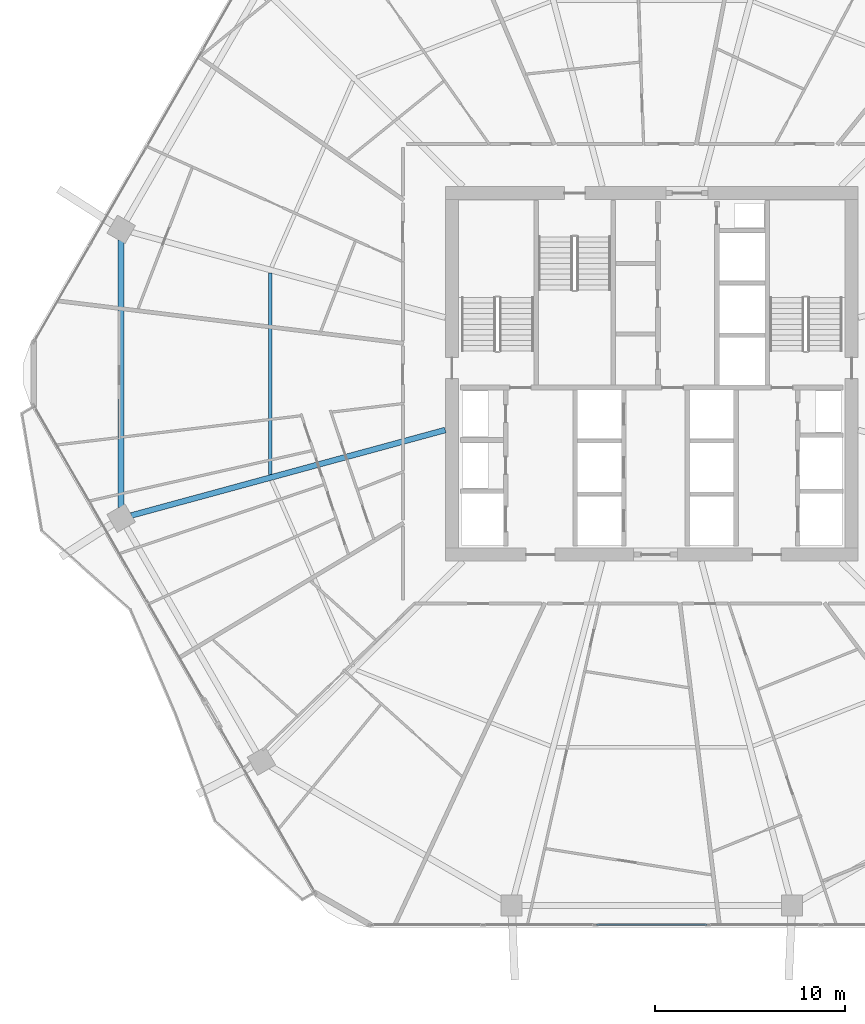
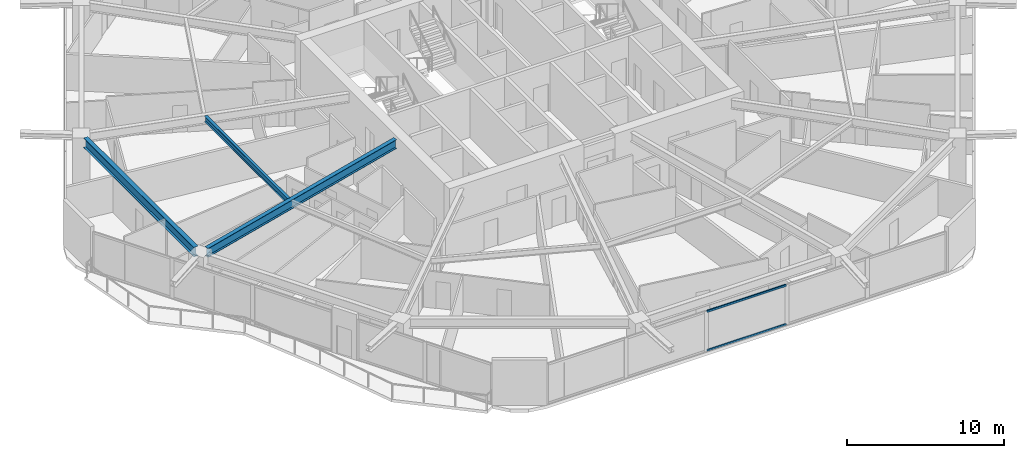
# One storey, part 6 of 32: 3 beams, 2 members, 1 element without a shape of its own.
"""IFC4 building model written with IfcOpenShell, lengths in metres."""

from ifc_helpers import new_model, si_unit, direction, frame, origin, origin_2d, place, context, subcontext, project, spatial, hollow_rectangle, i_section, extrude, material, material_profile, profile_set, type_object, element, aggregate, save


model = new_model("IFC4")

# Units and contexts
model_context = context("Model", 3, precision=1e-05, world=origin(), true_north=direction((0.0, 1.0)))
body_context = subcontext(model_context, "Body", "Model", "MODEL_VIEW")
ifc_project = project(units=[si_unit("LENGTHUNIT", "METRE"), si_unit("AREAUNIT", "SQUARE_METRE"), si_unit("VOLUMEUNIT", "CUBIC_METRE"), si_unit("PLANEANGLEUNIT", "RADIAN"), si_unit("MASSUNIT", "GRAM", prefix="KILO")], contexts=[model_context])

# Site, building, storey
site_placement = place(None, origin())
site = spatial("IfcSite", under=ifc_project, at=site_placement, CompositionType="ELEMENT")
building_placement = place(site_placement, origin())
building = spatial("IfcBuilding", under=site, at=building_placement, Name="Zuhravey Tower", CompositionType="ELEMENT")
storey_placement = place(building_placement, frame((0.0, 0.0, 111.39990234375)))
storey = spatial("IfcBuildingStorey", under=building, at=storey_placement, Name="L27", CompositionType="ELEMENT", Elevation=111.39990234375)

# Curtain wall, members
ifc_material_1 = material(Name="Thermally broken anodised aluminium", Category="aluminium")
curtain_wall_type = type_object("IfcCurtainWallType", Name="Zone 1-2 Residential Curtain Wall CW3", PredefinedType="NOTDEFINED", material=ifc_material_1)
curtain_wall_placement = place(storey_placement, origin())
curtain_wall = element("IfcCurtainWall", 1, at=curtain_wall_placement, inside=storey, type_object=curtain_wall_type, Name="L27 CW3 CW-L27-F5-1", PredefinedType="NOTDEFINED")
ifc_material_2 = material(Name="Anodised aluminium", Category="aluminium")
ifc_material_profile_1 = material_profile(ifc_material_2, hollow_rectangle(XDim=0.090087890625, YDim=0.14990234375, WallThickness=0.0048828125, at=origin_2d()), Name="ALU-RHS-90x150x5")
ifc_profile_set_1 = profile_set([ifc_material_profile_1], Name="Anodised aluminium")
member_type = type_object("IfcMemberType", Name="Curtain-Wall Transom 90x150", PredefinedType="USERDEFINED", material=ifc_profile_set_1)
member_1_placement = place(storey_placement, frame((38.914794921875, 3.04150390625, 0.045166015625), z_axis=(-1.0, 0.0, 0.0), x_axis=(0.0, -1.0, 0.0)))
member_1 = element("IfcMember", 2, at=member_1_placement, type_object=member_type, Name="CW3 transom 3.1", ObjectType="TRANSOM", PredefinedType="USERDEFINED", context=body_context, shape_type="SweptSolid", body=[
    extrude(hollow_rectangle(XDim=0.090087890625, YDim=0.14990234375, WallThickness=0.0048828125, at=origin_2d()), origin(), (0.0, 0.0, 1.0), 5.82958984375),
])
member_2_placement = place(storey_placement, frame((38.914794921875, 3.04150390625, 3.0771484375), z_axis=(-1.0, 0.0, 0.0), x_axis=(0.0, -1.0, 0.0)))
member_2 = element("IfcMember", 3, at=member_2_placement, type_object=member_type, Name="CW3 transom 3.2", ObjectType="TRANSOM", PredefinedType="USERDEFINED", context=body_context, shape_type="SweptSolid", body=[
    extrude(hollow_rectangle(XDim=0.090087890625, YDim=0.14990234375, WallThickness=0.0048828125, at=origin_2d()), origin(), (0.0, 0.0, 1.0), 5.82958984375),
])
aggregate(curtain_wall, [member_1, member_2])

# Beams
ifc_material_3 = material(Name="Steel SM355", Category="steel")
ifc_material_profile_2 = material_profile(ifc_material_3, i_section(OverallWidth=0.320068359375, OverallDepth=0.75, WebThickness=0.013916015625, FlangeThickness=0.02490234375, at=origin_2d()), Name="H-750x320x14x25")
ifc_profile_set_2 = profile_set([ifc_material_profile_2], Name="Steel SM355")
beam_type_1 = type_object("IfcBeamType", Name="Perimeter Ring Beam H750x320", PredefinedType="BEAM", material=ifc_profile_set_2)
beam_1_placement = place(storey_placement, frame((8.11083984375, 39.03857421875, 3.175048828125), z_axis=(0.0, -1.0, 0.0), x_axis=(1.0, 0.0, 0.0)))
element("IfcBeam", 4, at=beam_1_placement, inside=storey, type_object=beam_type_1, Name="L27 PB1 BM-L27-PB-06", PredefinedType="BEAM", context=body_context, shape_type="SweptSolid", body=[
    extrude(i_section(OverallWidth=0.320068359375, OverallDepth=0.75, WebThickness=0.013916015625, FlangeThickness=0.02490234375, at=origin_2d()), origin(), (0.0, 0.0, 1.0), 14.0771484375),
])
ifc_material_profile_3 = material_profile(ifc_material_3, i_section(OverallWidth=0.300048828125, OverallDepth=0.699951171875, WebThickness=0.012939453125, FlangeThickness=0.02392578125, at=origin_2d()), Name="H-700x300x13x24")
ifc_profile_set_3 = profile_set([ifc_material_profile_3], Name="Steel SM355")
beam_type_2 = type_object("IfcBeamType", Name="Radial Primary Girder H700x300", PredefinedType="BEAM", material=ifc_profile_set_3)
beam_2_placement = place(storey_placement, frame((25.14697265625, 29.045654296875, 3.2001953125), z_axis=(-0.964893166225, -0.262642680791, 0.0), x_axis=(0.262642680791, -0.964893166225, 0.0)))
element("IfcBeam", 5, at=beam_2_placement, inside=storey, type_object=beam_type_2, Name="L27 RG1 BM-L27-RAD-07", PredefinedType="BEAM", context=body_context, shape_type="SweptSolid", body=[
    extrude(i_section(OverallWidth=0.300048828125, OverallDepth=0.699951171875, WebThickness=0.012939453125, FlangeThickness=0.02392578125, at=origin_2d()), origin(), (0.0, 0.0, 1.0), 17.102783203125),
])
ifc_material_profile_4 = material_profile(ifc_material_3, i_section(OverallWidth=0.199951171875, OverallDepth=0.449951171875, WebThickness=0.009033203125, FlangeThickness=0.013916015625, at=origin_2d()), Name="H-450x200x9x14")
ifc_profile_set_4 = profile_set([ifc_material_profile_4], Name="Steel SM355")
beam_type_3 = type_object("IfcBeamType", Name="Secondary Floor Joist H450x200", PredefinedType="JOIST", material=ifc_profile_set_4)
beam_3_placement = place(storey_placement, frame((15.947509765625, 37.304443359375, 3.3251953125), z_axis=(0.0, -1.0, 0.0), x_axis=(1.0, 0.0, 0.0)))
element("IfcBeam", 6, at=beam_3_placement, inside=storey, type_object=beam_type_3, Name="L27 SJ1 BM-L27-SJ-06-1", PredefinedType="JOIST", context=body_context, shape_type="SweptSolid", body=[
    extrude(i_section(OverallWidth=0.199951171875, OverallDepth=0.449951171875, WebThickness=0.009033203125, FlangeThickness=0.013916015625, at=origin_2d()), origin(), (0.0, 0.0, 1.0), 10.60888671875),
])

save(model, "model.ifc")
